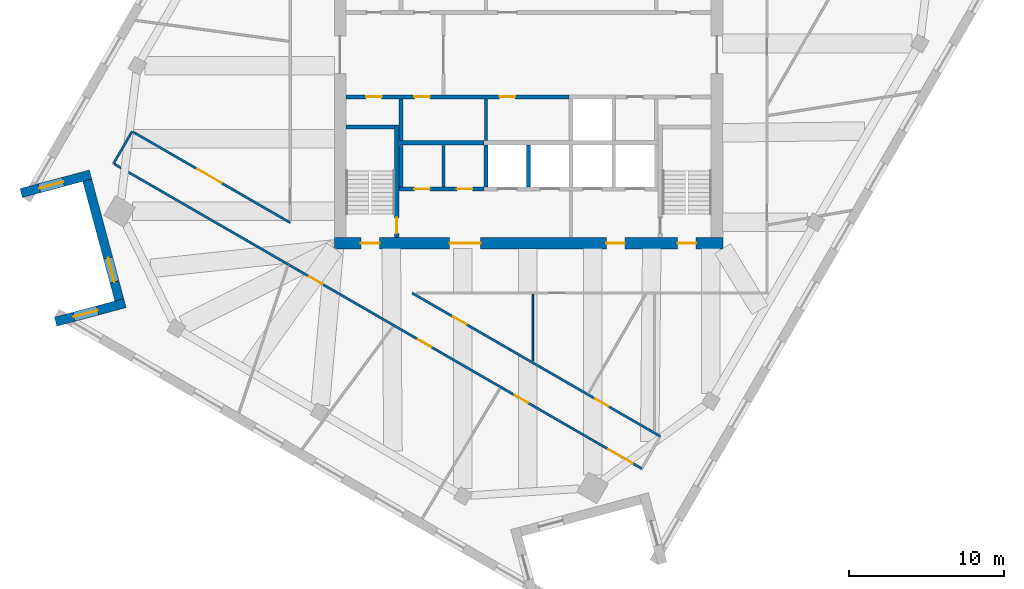
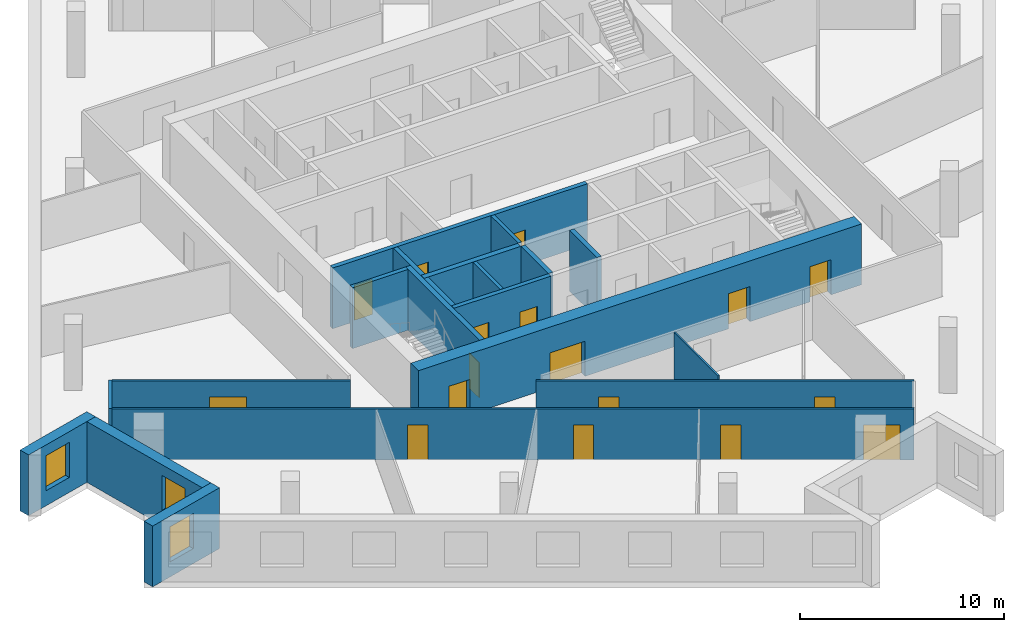
# One storey, part 6 of 13: 20 walls, 17 doors, 3 windows, 20 openings.
"""IFC4 building model written with IfcOpenShell, lengths in metres."""

from ifc_helpers import new_model, si_unit, direction, frame, frame_2d, origin, place, context, subcontext, project, spatial, rectangle, extrude, material, layer, layer_set, type_object, element, fill, save


model = new_model("IFC4")

# Units and contexts
model_context = context("Model", 3, precision=1e-05, world=origin(), true_north=direction((0.0, 1.0)))
body_context = subcontext(model_context, "Body", "Model", "MODEL_VIEW")
ifc_project = project(units=[si_unit("LENGTHUNIT", "METRE"), si_unit("AREAUNIT", "SQUARE_METRE"), si_unit("VOLUMEUNIT", "CUBIC_METRE"), si_unit("PLANEANGLEUNIT", "RADIAN"), si_unit("MASSUNIT", "GRAM", prefix="KILO")], contexts=[model_context])

# Site, building, storey
site_placement = place(None, origin())
site = spatial("IfcSite", under=ifc_project, at=site_placement, CompositionType="ELEMENT")
building_placement = place(site_placement, origin())
building = spatial("IfcBuilding", under=site, at=building_placement, Name="Dilmun Exchange Tower", CompositionType="ELEMENT")
storey_placement = place(building_placement, frame((0.0, 0.0, 262.89990234375)))
storey = spatial("IfcBuildingStorey", under=building, at=storey_placement, Name="L62", CompositionType="ELEMENT", Elevation=262.89990234375)

# Walls
ifc_material_1 = material(Name="Concrete C40/50", Category="concrete")
ifc_layer_1 = layer(ifc_material_1, 0.199951171875)
ifc_layer_set_1 = layer_set([ifc_layer_1], Name="Concrete C40/50")
wall_type_1 = type_object("IfcWallType", Name="Core partition wall 200", PredefinedType="PARTITIONING", material=ifc_layer_set_1)
for number, where, z_axis, x_axis, name in (
    (1, (-5.5, -8.544921875, 0.0), (0.0, 0.0, 1.0), (0.0, 1.0, 0.0), "L62 core partition wall 04"),
    (2, (-2.75, -5.544921875, 0.0), (0.0, 0.0, 1.0), (0.0, 1.0, 0.0), "L62 core partition wall 07"),
):
    element("IfcWall", number, at=place(storey_placement, frame(where, z_axis=z_axis, x_axis=x_axis)), inside=storey, type_object=wall_type_1, Name=name, PredefinedType="PARTITIONING", context=body_context, shape_type="SweptSolid", body=[
        extrude(rectangle(XDim=2.68994140625, YDim=0.199951171875, at=frame_2d((1.344970703125, 0.0))), origin(), (0.0, 0.0, 1.0), 3.64013671875),
    ])

# Wall, openings, doors
ifc_layer_2 = layer(ifc_material_1, 0.25)
ifc_layer_set_2 = layer_set([ifc_layer_2], Name="Concrete C40/50")
wall_type_2 = type_object("IfcWallType", Name="Core partition wall 250", PredefinedType="PARTITIONING", material=ifc_layer_set_2)
wall_1_placement = place(storey_placement, frame((-8.3701171875, -8.675048828125, 0.0), z_axis=(0.0, 0.0, 1.0), x_axis=(1.0, 0.0, 0.0)))
wall_1 = element("IfcWall", 3, at=wall_1_placement, inside=storey, type_object=wall_type_2, Name="L62 core partition wall 02", PredefinedType="PARTITIONING", context=body_context, shape_type="SweptSolid", body=[
    extrude(rectangle(XDim=5.490234375, YDim=0.25, at=frame_2d((2.7451171875, 0.0))), origin(), (0.0, 0.0, 1.0), 3.64013671875),
])
opening_1_placement = place(wall_1_placement, frame((0.9951171875, 0.0, 0.0)))
opening_1 = element("IfcOpeningElement", 4, at=opening_1_placement, cuts=wall_1, Name="Opening CD4", PredefinedType="OPENING", context=body_context, shape_type="SweptSolid", body=[
    extrude(rectangle(XDim=1.0, YDim=2.10009765625, at=frame_2d((0.5, 1.050048828125))), frame((0.0, 0.135009765625, 0.0), z_axis=(0.0, -1.0, 0.0), x_axis=(1.0, 0.0, 0.0)), (0.0, 0.0, 1.0), 0.27001953125),
])
opening_2_placement = place(wall_1_placement, frame((3.7451171875, 0.0, 0.0)))
opening_2 = element("IfcOpeningElement", 5, at=opening_2_placement, cuts=wall_1, Name="Opening CD4", PredefinedType="OPENING", context=body_context, shape_type="SweptSolid", body=[
    extrude(rectangle(XDim=1.0, YDim=2.10009765625, at=frame_2d((0.5, 1.050048828125))), frame((0.0, 0.135009765625, 0.0), z_axis=(0.0, -1.0, 0.0), x_axis=(1.0, 0.0, 0.0)), (0.0, 0.0, 1.0), 0.27001953125),
])
ifc_material_2 = material(Name="Fire-rated steel door set", Category="steel")
door_type_1 = type_object("IfcDoorType", Name="Core room door 1000x2100", OperationType="SINGLE_SWING_LEFT", PredefinedType="DOOR", material=ifc_material_2)
door_1_placement = place(opening_1_placement, origin())
door_1 = element("IfcDoor", 6, at=door_1_placement, inside=storey, type_object=door_type_1, Name="L62 door Male WC", OperationType="SINGLE_SWING_LEFT", OverallHeight=2.10009765625, OverallWidth=1.0, PredefinedType="DOOR", context=body_context, shape_type="SweptSolid", body=[
    extrude(rectangle(XDim=1.0, YDim=2.10009765625, at=frame_2d((0.5, 1.050048828125))), frame((0.0, 0.02490234375, 0.0), z_axis=(0.0, -1.0, 0.0), x_axis=(1.0, 0.0, 0.0)), (0.0, 0.0, 1.0), 0.050048828125),
])
fill(opening_1, door_1)
door_2_placement = place(opening_2_placement, origin())
door_2 = element("IfcDoor", 7, at=door_2_placement, inside=storey, type_object=door_type_1, Name="L62 door Female WC", OperationType="SINGLE_SWING_LEFT", OverallHeight=2.10009765625, OverallWidth=1.0, PredefinedType="DOOR", context=body_context, shape_type="SweptSolid", body=[
    extrude(rectangle(XDim=1.0, YDim=2.10009765625, at=frame_2d((0.5, 1.050048828125))), frame((0.0, 0.02490234375, 0.0), z_axis=(0.0, -1.0, 0.0), x_axis=(1.0, 0.0, 0.0)), (0.0, 0.0, 1.0), 0.050048828125),
])
fill(opening_2, door_2)

# Walls
for number, where, z_axis, x_axis, name in (
    (8, (-8.25, -8.544921875, 0.0), (0.0, 0.0, 1.0), (0.0, 1.0, 0.0), "L62 core partition wall 03"),
    (9, (-8.25, -5.544921875, 0.0), (0.0, 0.0, 1.0), (0.0, 1.0, 0.0), "L62 core partition wall 06"),
):
    element("IfcWall", number, at=place(storey_placement, frame(where, z_axis=z_axis, x_axis=x_axis)), inside=storey, type_object=wall_type_2, Name=name, PredefinedType="PARTITIONING", context=body_context, shape_type="SweptSolid", body=[
        extrude(rectangle(XDim=2.68994140625, YDim=0.25, at=frame_2d((1.344970703125, 0.0))), origin(), (0.0, 0.0, 1.0), 3.64013671875),
    ])

# Wall, openings, doors
wall_2_placement = place(storey_placement, frame((-11.794921875, -2.72509765625, 0.0), z_axis=(0.0, 0.0, 1.0), x_axis=(1.0, 0.0, 0.0)))
wall_2 = element("IfcWall", 10, at=wall_2_placement, inside=storey, type_object=wall_type_2, Name="L62 core partition wall 09", PredefinedType="PARTITIONING", context=body_context, shape_type="SweptSolid", body=[
    extrude(rectangle(XDim=14.4150390625, YDim=0.25, at=frame_2d((7.20751953125, 0.0))), origin(), (0.0, 0.0, 1.0), 3.64013671875),
])
opening_3_placement = place(wall_2_placement, frame((1.294921875, 0.0, 0.0)))
opening_3 = element("IfcOpeningElement", 11, at=opening_3_placement, cuts=wall_2, Name="Opening CD4", PredefinedType="OPENING", context=body_context, shape_type="SweptSolid", body=[
    extrude(rectangle(XDim=1.0, YDim=2.10009765625, at=frame_2d((0.5, 1.050048828125))), frame((0.0, 0.135009765625, 0.0), z_axis=(0.0, -1.0, 0.0), x_axis=(1.0, 0.0, 0.0)), (0.0, 0.0, 1.0), 0.27001953125),
])
opening_4_placement = place(wall_2_placement, frame((4.419921875, 0.0, 0.0)))
opening_4 = element("IfcOpeningElement", 12, at=opening_4_placement, cuts=wall_2, Name="Opening CD4", PredefinedType="OPENING", context=body_context, shape_type="SweptSolid", body=[
    extrude(rectangle(XDim=1.0, YDim=2.10009765625, at=frame_2d((0.5, 1.050048828125))), frame((0.0, 0.135009765625, 0.0), z_axis=(0.0, -1.0, 0.0), x_axis=(1.0, 0.0, 0.0)), (0.0, 0.0, 1.0), 0.27001953125),
])
opening_5_placement = place(wall_2_placement, frame((9.919921875, 0.0, 0.0)))
opening_5 = element("IfcOpeningElement", 13, at=opening_5_placement, cuts=wall_2, Name="Opening CD4", PredefinedType="OPENING", context=body_context, shape_type="SweptSolid", body=[
    extrude(rectangle(XDim=1.0, YDim=2.10009765625, at=frame_2d((0.5, 1.050048828125))), frame((0.0, 0.135009765625, 0.0), z_axis=(0.0, -1.0, 0.0), x_axis=(1.0, 0.0, 0.0)), (0.0, 0.0, 1.0), 0.27001953125),
])
door_3_placement = place(opening_3_placement, origin())
door_3 = element("IfcDoor", 14, at=door_3_placement, inside=storey, type_object=door_type_1, Name="L62 door Accessible WC", OperationType="SINGLE_SWING_LEFT", OverallHeight=2.10009765625, OverallWidth=1.0, PredefinedType="DOOR", context=body_context, shape_type="SweptSolid", body=[
    extrude(rectangle(XDim=1.0, YDim=2.10009765625, at=frame_2d((0.5, 1.050048828125))), frame((0.0, 0.02490234375, 0.0), z_axis=(0.0, -1.0, 0.0), x_axis=(1.0, 0.0, 0.0)), (0.0, 0.0, 1.0), 0.050048828125),
])
fill(opening_3, door_3)
door_4_placement = place(opening_4_placement, origin())
door_4 = element("IfcDoor", 15, at=door_4_placement, inside=storey, type_object=door_type_1, Name="L62 door Mechanical room", OperationType="SINGLE_SWING_LEFT", OverallHeight=2.10009765625, OverallWidth=1.0, PredefinedType="DOOR", context=body_context, shape_type="SweptSolid", body=[
    extrude(rectangle(XDim=1.0, YDim=2.10009765625, at=frame_2d((0.5, 1.050048828125))), frame((0.0, 0.02490234375, 0.0), z_axis=(0.0, -1.0, 0.0), x_axis=(1.0, 0.0, 0.0)), (0.0, 0.0, 1.0), 0.050048828125),
])
fill(opening_4, door_4)
door_5_placement = place(opening_5_placement, origin())
door_5 = element("IfcDoor", 16, at=door_5_placement, inside=storey, type_object=door_type_1, Name="L62 door Tenant services room", OperationType="SINGLE_SWING_LEFT", OverallHeight=2.10009765625, OverallWidth=1.0, PredefinedType="DOOR", context=body_context, shape_type="SweptSolid", body=[
    extrude(rectangle(XDim=1.0, YDim=2.10009765625, at=frame_2d((0.5, 1.050048828125))), frame((0.0, 0.02490234375, 0.0), z_axis=(0.0, -1.0, 0.0), x_axis=(1.0, 0.0, 0.0)), (0.0, 0.0, 1.0), 0.050048828125),
])
fill(opening_5, door_5)

# Wall
ifc_layer_3 = layer(ifc_material_1, 0.300048828125)
ifc_layer_set_3 = layer_set([ifc_layer_3], Name="Concrete C40/50")
wall_type_3 = type_object("IfcWallType", Name="Core partition wall 300", PredefinedType="PARTITIONING", material=ifc_layer_set_3)
wall_3_placement = place(storey_placement, frame((-8.35009765625, -5.699951171875, 0.0), z_axis=(0.0, 0.0, 1.0), x_axis=(1.0, 0.0, 0.0)))
element("IfcWall", 17, at=wall_3_placement, inside=storey, type_object=wall_type_3, Name="L62 core partition wall 05", PredefinedType="PARTITIONING", context=body_context, shape_type="SweptSolid", body=[
    extrude(rectangle(XDim=5.47021484375, YDim=0.300048828125, at=frame_2d((2.735107421875, 0.0))), origin(), (0.0, 0.0, 1.0), 3.64013671875),
])

# Wall, openings, doors
ifc_material_3 = material(Name="Concrete C50/60", Category="concrete")
ifc_layer_4 = layer(ifc_material_3, 0.75)
ifc_layer_set_4 = layer_set([ifc_layer_4], Name="Concrete C50/60")
wall_type_4 = type_object("IfcWallType", Name="Core shear wall 750 Concrete C50/60", PredefinedType="SHEAR", material=ifc_layer_set_4)
wall_4_placement = place(storey_placement, frame((-12.550048828125, -12.175048828125, 0.0), z_axis=(0.0, 0.0, 1.0), x_axis=(1.0, 0.0, 0.0)))
wall_4 = element("IfcWall", 18, at=wall_4_placement, inside=storey, type_object=wall_type_4, Name="L62 core shear wall S", PredefinedType="SHEAR", context=body_context, shape_type="SweptSolid", body=[
    extrude(rectangle(XDim=25.10009765625, YDim=0.75, at=frame_2d((12.550048828125, 0.0))), origin(), (0.0, 0.0, 1.0), 3.64013671875),
])
opening_6_placement = place(wall_4_placement, frame((7.449951171875, 0.0, 0.0)))
opening_6 = element("IfcOpeningElement", 19, at=opening_6_placement, cuts=wall_4, Name="Opening CD2", PredefinedType="OPENING", context=body_context, shape_type="SweptSolid", body=[
    extrude(rectangle(XDim=2.0, YDim=2.10009765625, at=frame_2d((1.0, 1.050048828125))), frame((0.0, 0.385009765625, 0.0), z_axis=(0.0, -1.0, 0.0), x_axis=(1.0, 0.0, 0.0)), (0.0, 0.0, 1.0), 0.77001953125),
])
opening_7_placement = place(wall_4_placement, frame((17.574951171875, 0.0, 0.0)))
opening_7 = element("IfcOpeningElement", 20, at=opening_7_placement, cuts=wall_4, Name="Opening CD3", PredefinedType="OPENING", context=body_context, shape_type="SweptSolid", body=[
    extrude(rectangle(XDim=1.199951171875, YDim=2.10009765625, at=frame_2d((0.60009765625, 1.050048828125))), frame((0.0, 0.385009765625, 0.0), z_axis=(0.0, -1.0, 0.0), x_axis=(1.0, 0.0, 0.0)), (0.0, 0.0, 1.0), 0.77001953125),
])
opening_8_placement = place(wall_4_placement, frame((1.72509765625, 0.0, 0.0)))
opening_8 = element("IfcOpeningElement", 21, at=opening_8_placement, cuts=wall_4, Name="Opening CD3", PredefinedType="OPENING", context=body_context, shape_type="SweptSolid", body=[
    extrude(rectangle(XDim=1.199951171875, YDim=2.10009765625, at=frame_2d((0.60009765625, 1.050048828125))), frame((0.0, 0.385009765625, 0.0), z_axis=(0.0, -1.0, 0.0), x_axis=(1.0, 0.0, 0.0)), (0.0, 0.0, 1.0), 0.77001953125),
])
opening_9_placement = place(wall_4_placement, frame((22.175048828125, 0.0, 0.0)))
opening_9 = element("IfcOpeningElement", 22, at=opening_9_placement, cuts=wall_4, Name="Opening CD3", PredefinedType="OPENING", context=body_context, shape_type="SweptSolid", body=[
    extrude(rectangle(XDim=1.199951171875, YDim=2.10009765625, at=frame_2d((0.60009765625, 1.050048828125))), frame((0.0, 0.385009765625, 0.0), z_axis=(0.0, -1.0, 0.0), x_axis=(1.0, 0.0, 0.0)), (0.0, 0.0, 1.0), 0.77001953125),
])
door_type_2 = type_object("IfcDoorType", Name="Core service door 2000x2100", OperationType="DOUBLE_DOOR_DOUBLE_SWING", PredefinedType="DOOR", material=ifc_material_2)
door_6_placement = place(opening_6_placement, origin())
door_6 = element("IfcDoor", 23, at=door_6_placement, inside=storey, type_object=door_type_2, Name="L62 door South service lobby", OperationType="SINGLE_SWING_LEFT", OverallHeight=2.10009765625, OverallWidth=2.0, PredefinedType="DOOR", context=body_context, shape_type="SweptSolid", body=[
    extrude(rectangle(XDim=2.0, YDim=2.10009765625, at=frame_2d((1.0, 1.050048828125))), frame((0.0, 0.02490234375, 0.0), z_axis=(0.0, -1.0, 0.0), x_axis=(1.0, 0.0, 0.0)), (0.0, 0.0, 1.0), 0.050048828125),
])
fill(opening_6, door_6)
door_type_3 = type_object("IfcDoorType", Name="Stair exit door 1200x2100", OperationType="SINGLE_SWING_LEFT", PredefinedType="DOOR", material=ifc_material_2)
door_7_placement = place(opening_7_placement, origin())
door_7 = element("IfcDoor", 24, at=door_7_placement, inside=storey, type_object=door_type_3, Name="L62 door Fire-fighting lobby", OperationType="SINGLE_SWING_LEFT", OverallHeight=2.10009765625, OverallWidth=1.199951171875, PredefinedType="DOOR", context=body_context, shape_type="SweptSolid", body=[
    extrude(rectangle(XDim=1.199951171875, YDim=2.10009765625, at=frame_2d((0.60009765625, 1.050048828125))), frame((0.0, 0.02490234375, 0.0), z_axis=(0.0, -1.0, 0.0), x_axis=(1.0, 0.0, 0.0)), (0.0, 0.0, 1.0), 0.050048828125),
])
fill(opening_7, door_7)
door_8_placement = place(opening_8_placement, origin())
door_8 = element("IfcDoor", 25, at=door_8_placement, inside=storey, type_object=door_type_3, Name="L62 door Stair ST2", OperationType="SINGLE_SWING_LEFT", OverallHeight=2.10009765625, OverallWidth=1.199951171875, PredefinedType="DOOR", context=body_context, shape_type="SweptSolid", body=[
    extrude(rectangle(XDim=1.199951171875, YDim=2.10009765625, at=frame_2d((0.60009765625, 1.050048828125))), frame((0.0, 0.02490234375, 0.0), z_axis=(0.0, -1.0, 0.0), x_axis=(1.0, 0.0, 0.0)), (0.0, 0.0, 1.0), 0.050048828125),
])
fill(opening_8, door_8)
door_9_placement = place(opening_9_placement, origin())
door_9 = element("IfcDoor", 26, at=door_9_placement, inside=storey, type_object=door_type_3, Name="L62 door Stair ST3", OperationType="SINGLE_SWING_LEFT", OverallHeight=2.10009765625, OverallWidth=1.199951171875, PredefinedType="DOOR", context=body_context, shape_type="SweptSolid", body=[
    extrude(rectangle(XDim=1.199951171875, YDim=2.10009765625, at=frame_2d((0.60009765625, 1.050048828125))), frame((0.0, 0.02490234375, 0.0), z_axis=(0.0, -1.0, 0.0), x_axis=(1.0, 0.0, 0.0)), (0.0, 0.0, 1.0), 0.050048828125),
])
fill(opening_9, door_9)

# Wall
ifc_material_4 = material(Name="Corridor wall 150")
ifc_layer_5 = layer(ifc_material_4, 0.14990234375)
ifc_layer_set_5 = layer_set([ifc_layer_5], Name="Corridor wall 150")
wall_type_5 = type_object("IfcWallType", Name="Corridor wall 150", PredefinedType="PARTITIONING", material=ifc_layer_set_5)
wall_5_placement = place(storey_placement, frame((-26.80908203125, -7.034912109375, 0.0), z_axis=(0.0, 0.0, 1.0), x_axis=(0.499989508258, 0.86603146111, 0.0)))
element("IfcWall", 27, at=wall_5_placement, inside=storey, type_object=wall_type_5, Name="Corridor wall", PredefinedType="PARTITIONING", context=body_context, shape_type="SweptSolid", body=[
    extrude(rectangle(XDim=2.400390625, YDim=0.14990234375, at=frame_2d((1.2001953125, 0.0))), origin(), (0.0, 0.0, 1.0), 3.0400390625),
])

# Wall, openings, doors
wall_6_placement = place(storey_placement, frame((-26.743896484375, -7.072509765625, 0.0), z_axis=(0.0, 0.0, 1.0), x_axis=(0.866020890374, -0.500007817374, 0.0)))
wall_6 = element("IfcWall", 28, at=wall_6_placement, inside=storey, type_object=wall_type_5, Name="Corridor wall", PredefinedType="PARTITIONING", context=body_context, shape_type="SweptSolid", body=[
    extrude(rectangle(XDim=39.324462890625, YDim=0.14990234375, at=frame_2d((19.662109375, 0.0))), origin(), (0.0, 0.0, 1.0), 3.0400390625),
])
opening_10_placement = place(wall_6_placement, frame((14.504638671875, 0.0, 0.0)))
opening_10 = element("IfcOpeningElement", 29, at=opening_10_placement, cuts=wall_6, Name="Opening TF62-D04", PredefinedType="OPENING", context=body_context, shape_type="SweptSolid", body=[
    extrude(rectangle(XDim=1.0, YDim=2.10009765625, at=frame_2d((0.5, 1.050048828125))), frame((0.0, 0.0849609375, 0.0), z_axis=(0.0, -1.0, 0.0), x_axis=(1.0, 0.0, 0.0)), (0.0, 0.0, 1.0), 0.169921875),
])
opening_11_placement = place(wall_6_placement, frame((22.63232421875, 0.0, 0.0)))
opening_11 = element("IfcOpeningElement", 30, at=opening_11_placement, cuts=wall_6, Name="Opening TF62-D05", PredefinedType="OPENING", context=body_context, shape_type="SweptSolid", body=[
    extrude(rectangle(XDim=1.0, YDim=2.10009765625, at=frame_2d((0.5, 1.050048828125))), frame((0.0, 0.0849609375, 0.0), z_axis=(0.0, -1.0, 0.0), x_axis=(1.0, 0.0, 0.0)), (0.0, 0.0, 1.0), 0.169921875),
])
opening_12_placement = place(wall_6_placement, frame((36.8515625, 0.0, 0.0)))
opening_12 = element("IfcOpeningElement", 31, at=opening_12_placement, cuts=wall_6, Name="Opening TF62-D14", PredefinedType="OPENING", context=body_context, shape_type="SweptSolid", body=[
    extrude(rectangle(XDim=1.800048828125, YDim=2.10009765625, at=frame_2d((0.89990234375, 1.050048828125))), frame((0.0, 0.0849609375, 0.0), z_axis=(0.0, -1.0, 0.0), x_axis=(1.0, 0.0, 0.0)), (0.0, 0.0, 1.0), 0.169921875),
])
opening_13_placement = place(wall_6_placement, frame((29.8515625, 0.0, 0.0)))
opening_13 = element("IfcOpeningElement", 32, at=opening_13_placement, cuts=wall_6, Name="Opening TF62-D15", PredefinedType="OPENING", context=body_context, shape_type="SweptSolid", body=[
    extrude(rectangle(XDim=1.0, YDim=2.10009765625, at=frame_2d((0.5, 1.050048828125))), frame((0.0, 0.0849609375, 0.0), z_axis=(0.0, -1.0, 0.0), x_axis=(1.0, 0.0, 0.0)), (0.0, 0.0, 1.0), 0.169921875),
])
ifc_material_5 = material(Name="Fire door 1000 x 2100")
door_type_4 = type_object("IfcDoorType", Name="Fire door 1000 x 2100", OperationType="NOTDEFINED", PredefinedType="DOOR", material=ifc_material_5)
door_10_placement = place(opening_10_placement, frame((1.0, 0.0, 0.0), z_axis=(0.0, 0.0, 1.0), x_axis=(-1.0, 0.0, 0.0)))
door_10 = element("IfcDoor", 33, at=door_10_placement, inside=storey, type_object=door_type_4, Name="Door TF62-D04", OperationType="SINGLE_SWING_LEFT", OverallHeight=2.10009765625, OverallWidth=1.0, PredefinedType="DOOR", context=body_context, shape_type="SweptSolid", body=[
    extrude(rectangle(XDim=1.0, YDim=2.10009765625, at=frame_2d((0.5, 1.050048828125))), frame((0.0, 0.02490234375, 0.0), z_axis=(0.0, -1.0, 0.0), x_axis=(1.0, 0.0, 0.0)), (0.0, 0.0, 1.0), 0.050048828125),
])
fill(opening_10, door_10)
door_11_placement = place(opening_11_placement, frame((1.0, 0.0, 0.0), z_axis=(0.0, 0.0, 1.0), x_axis=(-1.0, 0.0, 0.0)))
door_11 = element("IfcDoor", 34, at=door_11_placement, inside=storey, type_object=door_type_4, Name="Door TF62-D05", OperationType="SINGLE_SWING_RIGHT", OverallHeight=2.10009765625, OverallWidth=1.0, PredefinedType="DOOR", context=body_context, shape_type="SweptSolid", body=[
    extrude(rectangle(XDim=1.0, YDim=2.10009765625, at=frame_2d((0.5, 1.050048828125))), frame((0.0, 0.02490234375, 0.0), z_axis=(0.0, -1.0, 0.0), x_axis=(1.0, 0.0, 0.0)), (0.0, 0.0, 1.0), 0.050048828125),
])
fill(opening_11, door_11)
door_12_placement = place(opening_13_placement, frame((1.0, 0.0, 0.0), z_axis=(0.0, 0.0, 1.0), x_axis=(-1.0, 0.0, 0.0)))
door_12 = element("IfcDoor", 35, at=door_12_placement, inside=storey, type_object=door_type_4, Name="Door TF62-D15", OperationType="SINGLE_SWING_RIGHT", OverallHeight=2.10009765625, OverallWidth=1.0, PredefinedType="DOOR", context=body_context, shape_type="SweptSolid", body=[
    extrude(rectangle(XDim=1.0, YDim=2.10009765625, at=frame_2d((0.5, 1.050048828125))), frame((0.0, 0.02490234375, 0.0), z_axis=(0.0, -1.0, 0.0), x_axis=(1.0, 0.0, 0.0)), (0.0, 0.0, 1.0), 0.050048828125),
])
fill(opening_13, door_12)
ifc_material_6 = material(Name="Fire door pair 1800 x 2100")
door_type_5 = type_object("IfcDoorType", Name="Fire door pair 1800 x 2100", OperationType="NOTDEFINED", PredefinedType="DOOR", material=ifc_material_6)
door_13_placement = place(opening_12_placement, frame((1.800048828125, 0.0, 0.0), z_axis=(0.0, 0.0, 1.0), x_axis=(-1.0, 0.0, 0.0)))
door_13 = element("IfcDoor", 36, at=door_13_placement, inside=storey, type_object=door_type_5, Name="Door TF62-D14", OperationType="DOUBLE_DOOR_SINGLE_SWING", OverallHeight=2.10009765625, OverallWidth=1.800048828125, PredefinedType="DOOR", context=body_context, shape_type="SweptSolid", body=[
    extrude(rectangle(XDim=1.800048828125, YDim=2.10009765625, at=frame_2d((0.89990234375, 1.050048828125))), frame((0.0, 0.02490234375, 0.0), z_axis=(0.0, -1.0, 0.0), x_axis=(1.0, 0.0, 0.0)), (0.0, 0.0, 1.0), 0.050048828125),
])
fill(opening_12, door_13)

# Wall, opening, door
wall_7_placement = place(storey_placement, frame((-25.5439453125, -4.993408203125, 0.0), z_axis=(0.0, 0.0, 1.0), x_axis=(0.865988432642, -0.50006403043, 0.0)))
wall_7 = element("IfcWall", 37, at=wall_7_placement, inside=storey, type_object=wall_type_5, Name="Corridor wall", PredefinedType="PARTITIONING", context=body_context, shape_type="SweptSolid", body=[
    extrude(rectangle(XDim=11.7138671875, YDim=0.14990234375, at=frame_2d((5.85693359375, 0.0))), origin(), (0.0, 0.0, 1.0), 3.0400390625),
])
opening_14_placement = place(wall_7_placement, frame((4.800048828125, 0.0, 0.0)))
opening_14 = element("IfcOpeningElement", 38, at=opening_14_placement, cuts=wall_7, Name="Opening TF62-D01", PredefinedType="OPENING", context=body_context, shape_type="SweptSolid", body=[
    extrude(rectangle(XDim=1.800048828125, YDim=2.10009765625, at=frame_2d((0.89990234375, 1.050048828125))), frame((0.0, 0.0849609375, 0.0), z_axis=(0.0, -1.0, 0.0), x_axis=(1.0, 0.0, 0.0)), (0.0, 0.0, 1.0), 0.169921875),
])
door_14_placement = place(opening_14_placement, origin())
door_14 = element("IfcDoor", 39, at=door_14_placement, inside=storey, type_object=door_type_5, Name="Door TF62-D01", OperationType="DOUBLE_DOOR_SINGLE_SWING", OverallHeight=2.10009765625, OverallWidth=1.800048828125, PredefinedType="DOOR", context=body_context, shape_type="SweptSolid", body=[
    extrude(rectangle(XDim=1.800048828125, YDim=2.10009765625, at=frame_2d((0.89990234375, 1.050048828125))), frame((0.0, 0.02490234375, 0.0), z_axis=(0.0, -1.0, 0.0), x_axis=(1.0, 0.0, 0.0)), (0.0, 0.0, 1.0), 0.050048828125),
])
fill(opening_14, door_14)

# Wall, openings, doors
wall_8_placement = place(storey_placement, frame((-7.52001953125, -15.39990234375, 0.0), z_axis=(0.0, 0.0, 1.0), x_axis=(0.86602460502, -0.500001383498, 0.0)))
wall_8 = element("IfcWall", 40, at=wall_8_placement, inside=storey, type_object=wall_type_5, Name="Corridor wall", PredefinedType="PARTITIONING", context=body_context, shape_type="SweptSolid", body=[
    extrude(rectangle(XDim=18.51220703125, YDim=0.14990234375, at=frame_2d((9.256103515625, 0.0))), origin(), (0.0, 0.0, 1.0), 3.0400390625),
])
opening_15_placement = place(wall_8_placement, frame((3.050048828125, 0.0, 0.0)))
opening_15 = element("IfcOpeningElement", 41, at=opening_15_placement, cuts=wall_8, Name="Opening TF62-D09", PredefinedType="OPENING", context=body_context, shape_type="SweptSolid", body=[
    extrude(rectangle(XDim=1.0, YDim=2.10009765625, at=frame_2d((0.5, 1.050048828125))), frame((0.0, 0.0849609375, 0.0), z_axis=(0.0, -1.0, 0.0), x_axis=(1.0, 0.0, 0.0)), (0.0, 0.0, 1.0), 0.169921875),
])
opening_16_placement = place(wall_8_placement, frame((13.650146484375, 0.0, 0.0)))
opening_16 = element("IfcOpeningElement", 42, at=opening_16_placement, cuts=wall_8, Name="Opening TF62-D12", PredefinedType="OPENING", context=body_context, shape_type="SweptSolid", body=[
    extrude(rectangle(XDim=1.0, YDim=2.10009765625, at=frame_2d((0.5, 1.050048828125))), frame((0.0, 0.0849609375, 0.0), z_axis=(0.0, -1.0, 0.0), x_axis=(1.0, 0.0, 0.0)), (0.0, 0.0, 1.0), 0.169921875),
])
door_15_placement = place(opening_15_placement, origin())
door_15 = element("IfcDoor", 43, at=door_15_placement, inside=storey, type_object=door_type_4, Name="Door TF62-D09", OperationType="SINGLE_SWING_LEFT", OverallHeight=2.10009765625, OverallWidth=1.0, PredefinedType="DOOR", context=body_context, shape_type="SweptSolid", body=[
    extrude(rectangle(XDim=1.0, YDim=2.10009765625, at=frame_2d((0.5, 1.050048828125))), frame((0.0, 0.02490234375, 0.0), z_axis=(0.0, -1.0, 0.0), x_axis=(1.0, 0.0, 0.0)), (0.0, 0.0, 1.0), 0.050048828125),
])
fill(opening_15, door_15)
door_16_placement = place(opening_16_placement, origin())
door_16 = element("IfcDoor", 44, at=door_16_placement, inside=storey, type_object=door_type_4, Name="Door TF62-D12", OperationType="SINGLE_SWING_RIGHT", OverallHeight=2.10009765625, OverallWidth=1.0, PredefinedType="DOOR", context=body_context, shape_type="SweptSolid", body=[
    extrude(rectangle(XDim=1.0, YDim=2.10009765625, at=frame_2d((0.5, 1.050048828125))), frame((0.0, 0.02490234375, 0.0), z_axis=(0.0, -1.0, 0.0), x_axis=(1.0, 0.0, 0.0)), (0.0, 0.0, 1.0), 0.050048828125),
])
fill(opening_16, door_16)

# Walls
ifc_layer_6 = layer(ifc_material_1, 0.25)
ifc_layer_set_6 = layer_set([ifc_layer_6], Name="Concrete C40/50")
wall_type_6 = type_object("IfcWallType", Name="Lift shaft wall 250", PredefinedType="SOLIDWALL", material=ifc_layer_set_6)
for number, where, z_axis, x_axis, name in (
    (45, (-2.75, -8.550048828125, 0.0), (0.0, 0.0, 1.0), (0.0, 1.0, 0.0), "L62 lift shaft divider S22"),
    (46, (0.0, -8.550048828125, 0.0), (0.0, 0.0, 1.0), (0.0, 1.0, 0.0), "L62 lift shaft divider S23"),
):
    element("IfcWall", number, at=place(storey_placement, frame(where, z_axis=z_axis, x_axis=x_axis)), inside=storey, type_object=wall_type_6, Name=name, PredefinedType="SOLIDWALL", context=body_context, shape_type="SweptSolid", body=[
        extrude(rectangle(XDim=2.699951171875, YDim=0.25, at=frame_2d((1.35009765625, 0.0))), origin(), (0.0, 0.0, 1.0), 3.64013671875),
    ])
ifc_material_7 = material(Name="Partition 100")
ifc_layer_7 = layer(ifc_material_7, 0.10009765625)
ifc_layer_set_7 = layer_set([ifc_layer_7], Name="Partition 100")
wall_type_7 = type_object("IfcWallType", Name="Partition 100", PredefinedType="PARTITIONING", material=ifc_layer_set_7)
wall_9_placement = place(storey_placement, frame((0.278076171875, -19.78662109375, 0.0), z_axis=(0.0, 0.0, 1.0), x_axis=(0.0, 1.0, 0.0)))
element("IfcWall", 47, at=wall_9_placement, inside=storey, type_object=wall_type_7, Name="Partition", PredefinedType="PARTITIONING", context=body_context, shape_type="SweptSolid", body=[
    extrude(rectangle(XDim=4.3115234375, YDim=0.10009765625, at=frame_2d((2.15576171875, 0.0))), origin(), (0.0, 0.0, 1.0), 3.239990234375),
])

# Wall, opening, window
ifc_material_8 = material(Name="Precast concrete C50/60", Category="concrete")
ifc_layer_8 = layer(ifc_material_8, 0.60009765625)
ifc_layer_set_8 = layer_set([ifc_layer_8], Name="Precast concrete C50/60")
wall_type_8 = type_object("IfcWallType", Name="Precast stone-clad wall 600", PredefinedType="STANDARD", material=ifc_layer_set_8)
wall_10_placement = place(storey_placement, frame((-32.77392578125, -8.94189453125, 0.0), z_axis=(0.0, 0.0, 1.0), x_axis=(0.965928304125, 0.258809797517, 0.0)))
wall_10 = element("IfcWall", 48, at=wall_10_placement, inside=storey, type_object=wall_type_8, Name="Facade wall L62-04", PredefinedType="STANDARD", context=body_context, shape_type="SweptSolid", body=[
    extrude(rectangle(XDim=4.635498046875, YDim=0.60009765625, at=frame_2d((2.31787109375, 0.0))), origin(), (0.0, 0.0, 1.0), 3.64013671875),
])
opening_17_placement = place(wall_10_placement, frame((1.2177734375, 0.0, 0.89990234375)))
opening_17 = element("IfcOpeningElement", 49, at=opening_17_placement, cuts=wall_10, Name="Opening W160-210", PredefinedType="OPENING", context=body_context, shape_type="SweptSolid", body=[
    extrude(rectangle(XDim=1.60009765625, YDim=2.10009765625, at=frame_2d((0.800048828125, 1.050048828125))), frame((0.0, 0.31005859375, 0.0), z_axis=(0.0, -1.0, 0.0), x_axis=(1.0, 0.0, 0.0)), (0.0, 0.0, 1.0), 0.6201171875),
])
ifc_material_9 = material(Name="Clear low-emissivity glass in aluminium frame", Category="aluminium")
window_type = type_object("IfcWindowType", Name="Punched window 1600 x 2100", PartitioningType="DOUBLE_PANEL_VERTICAL", PredefinedType="WINDOW", material=ifc_material_9)
window_1_placement = place(opening_17_placement, origin())
window_1 = element("IfcWindow", 50, at=window_1_placement, inside=storey, type_object=window_type, Name="Window 5.1", OverallHeight=2.10009765625, OverallWidth=1.60009765625, PartitioningType="SINGLE_PANEL", PredefinedType="WINDOW", context=body_context, shape_type="SweptSolid", body=[
    extrude(rectangle(XDim=1.60009765625, YDim=2.10009765625, at=frame_2d((0.800048828125, 1.050048828125))), frame((0.0, 0.030029296875, 0.0), z_axis=(0.0, -1.0, 0.0), x_axis=(1.0, 0.0, 0.0)), (0.0, 0.0, 1.0), 0.06005859375),
])
fill(opening_17, window_1)

wall_11_placement = place(storey_placement, frame((-28.508544921875, -8.109619140625, 0.0), z_axis=(0.0, 0.0, 1.0), x_axis=(0.258815405168, -0.965926801599, 0.0)))
wall_11 = element("IfcWall", 51, at=wall_11_placement, inside=storey, type_object=wall_type_8, Name="Facade wall L62-05", PredefinedType="STANDARD", context=body_context, shape_type="SweptSolid", body=[
    extrude(rectangle(XDim=8.000244140625, YDim=0.60009765625, at=frame_2d((4.0, 0.0))), origin(), (0.0, 0.0, 1.0), 3.64013671875),
])
opening_18_placement = place(wall_11_placement, frame((5.199951171875, 0.0, 0.89990234375)))
opening_18 = element("IfcOpeningElement", 52, at=opening_18_placement, cuts=wall_11, Name="Opening W160-210", PredefinedType="OPENING", context=body_context, shape_type="SweptSolid", body=[
    extrude(rectangle(XDim=1.60009765625, YDim=2.10009765625, at=frame_2d((0.800048828125, 1.050048828125))), frame((0.0, 0.31005859375, 0.0), z_axis=(0.0, -1.0, 0.0), x_axis=(1.0, 0.0, 0.0)), (0.0, 0.0, 1.0), 0.6201171875),
])
window_2_placement = place(opening_18_placement, origin())
window_2 = element("IfcWindow", 53, at=window_2_placement, inside=storey, type_object=window_type, Name="Window 6.2", OverallHeight=2.10009765625, OverallWidth=1.60009765625, PartitioningType="SINGLE_PANEL", PredefinedType="WINDOW", context=body_context, shape_type="SweptSolid", body=[
    extrude(rectangle(XDim=1.60009765625, YDim=2.10009765625, at=frame_2d((0.800048828125, 1.050048828125))), frame((0.0, 0.030029296875, 0.0), z_axis=(0.0, -1.0, 0.0), x_axis=(1.0, 0.0, 0.0)), (0.0, 0.0, 1.0), 0.06005859375),
])
fill(opening_18, window_2)

wall_12_placement = place(storey_placement, frame((-26.070556640625, -16.04931640625, 0.0), z_axis=(0.0, 0.0, 1.0), x_axis=(-0.965928304125, -0.258809797517, 0.0)))
wall_12 = element("IfcWall", 54, at=wall_12_placement, inside=storey, type_object=wall_type_8, Name="Facade wall L62-06", PredefinedType="STANDARD", context=body_context, shape_type="SweptSolid", body=[
    extrude(rectangle(XDim=4.635498046875, YDim=0.60009765625, at=frame_2d((2.31787109375, 0.0))), origin(), (0.0, 0.0, 1.0), 3.64013671875),
])
opening_19_placement = place(wall_12_placement, frame((1.81787109375, 0.0, 0.89990234375)))
opening_19 = element("IfcOpeningElement", 55, at=opening_19_placement, cuts=wall_12, Name="Opening W160-210", PredefinedType="OPENING", context=body_context, shape_type="SweptSolid", body=[
    extrude(rectangle(XDim=1.60009765625, YDim=2.10009765625, at=frame_2d((0.800048828125, 1.050048828125))), frame((0.0, 0.31005859375, 0.0), z_axis=(0.0, -1.0, 0.0), x_axis=(1.0, 0.0, 0.0)), (0.0, 0.0, 1.0), 0.6201171875),
])
window_3_placement = place(opening_19_placement, origin())
window_3 = element("IfcWindow", 56, at=window_3_placement, inside=storey, type_object=window_type, Name="Window 7.1", OverallHeight=2.10009765625, OverallWidth=1.60009765625, PartitioningType="SINGLE_PANEL", PredefinedType="WINDOW", context=body_context, shape_type="SweptSolid", body=[
    extrude(rectangle(XDim=1.60009765625, YDim=2.10009765625, at=frame_2d((0.800048828125, 1.050048828125))), frame((0.0, 0.030029296875, 0.0), z_axis=(0.0, -1.0, 0.0), x_axis=(1.0, 0.0, 0.0)), (0.0, 0.0, 1.0), 0.06005859375),
])
fill(opening_19, window_3)

# Wall
ifc_layer_9 = layer(ifc_material_1, 0.25)
ifc_layer_set_9 = layer_set([ifc_layer_9], Name="Concrete C40/50")
wall_type_9 = type_object("IfcWallType", Name="Stair end wall 250", PredefinedType="SOLIDWALL", material=ifc_layer_set_9)
wall_13_placement = place(storey_placement, frame((-8.64990234375, -4.675048828125, 0.0), z_axis=(0.0, 0.0, 1.0), x_axis=(-1.0, 0.0, 0.0)))
element("IfcWall", 57, at=wall_13_placement, inside=storey, type_object=wall_type_9, Name="L62 ST2 far wall", PredefinedType="SOLIDWALL", context=body_context, shape_type="SweptSolid", body=[
    extrude(rectangle(XDim=3.150146484375, YDim=0.25, at=frame_2d((1.5751953125, 0.0))), origin(), (0.0, 0.0, 1.0), 3.64013671875),
])

# Wall, opening, door
ifc_layer_10 = layer(ifc_material_1, 0.27490234375)
ifc_layer_set_10 = layer_set([ifc_layer_10], Name="Concrete C40/50")
wall_type_10 = type_object("IfcWallType", Name="Stair wall 275", PredefinedType="SOLIDWALL", material=ifc_layer_set_10)
wall_14_placement = place(storey_placement, frame((-8.512451171875, -4.550048828125, 0.0), z_axis=(0.0, 0.0, 1.0), x_axis=(0.0, -1.0, 0.0)))
wall_14 = element("IfcWall", 58, at=wall_14_placement, inside=storey, type_object=wall_type_10, Name="L62 ST2 wall to lift block", PredefinedType="SOLIDWALL", context=body_context, shape_type="SweptSolid", body=[
    extrude(rectangle(XDim=7.25, YDim=0.27490234375, at=frame_2d((3.625, 0.0))), origin(), (0.0, 0.0, 1.0), 3.64013671875),
])
opening_20_placement = place(wall_14_placement, frame((6.0, 0.0, 0.0)))
opening_20 = element("IfcOpeningElement", 59, at=opening_20_placement, cuts=wall_14, Name="Opening CD4", PredefinedType="OPENING", context=body_context, shape_type="SweptSolid", body=[
    extrude(rectangle(XDim=1.0, YDim=2.10009765625, at=frame_2d((0.5, 1.050048828125))), frame((0.0, 0.1474609375, 0.0), z_axis=(0.0, -1.0, 0.0), x_axis=(1.0, 0.0, 0.0)), (0.0, 0.0, 1.0), 0.294921875),
])
door_17_placement = place(opening_20_placement, origin())
door_17 = element("IfcDoor", 60, at=door_17_placement, inside=storey, type_object=door_type_1, Name="L62 door ST2 from lobby", OperationType="SINGLE_SWING_LEFT", OverallHeight=2.10009765625, OverallWidth=1.0, PredefinedType="DOOR", context=body_context, shape_type="SweptSolid", body=[
    extrude(rectangle(XDim=1.0, YDim=2.10009765625, at=frame_2d((0.5, 1.050048828125))), frame((0.0, 0.02490234375, 0.0), z_axis=(0.0, -1.0, 0.0), x_axis=(1.0, 0.0, 0.0)), (0.0, 0.0, 1.0), 0.050048828125),
])
fill(opening_20, door_17)

save(model, "model.ifc")
